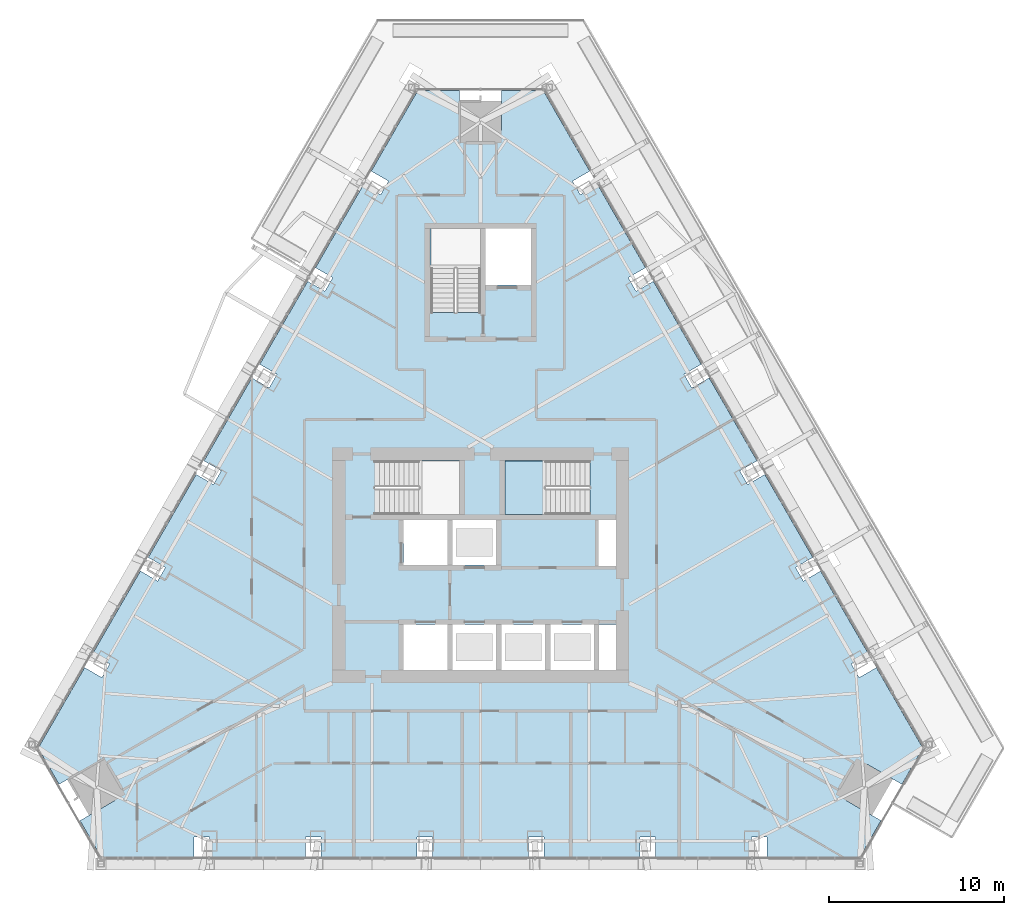
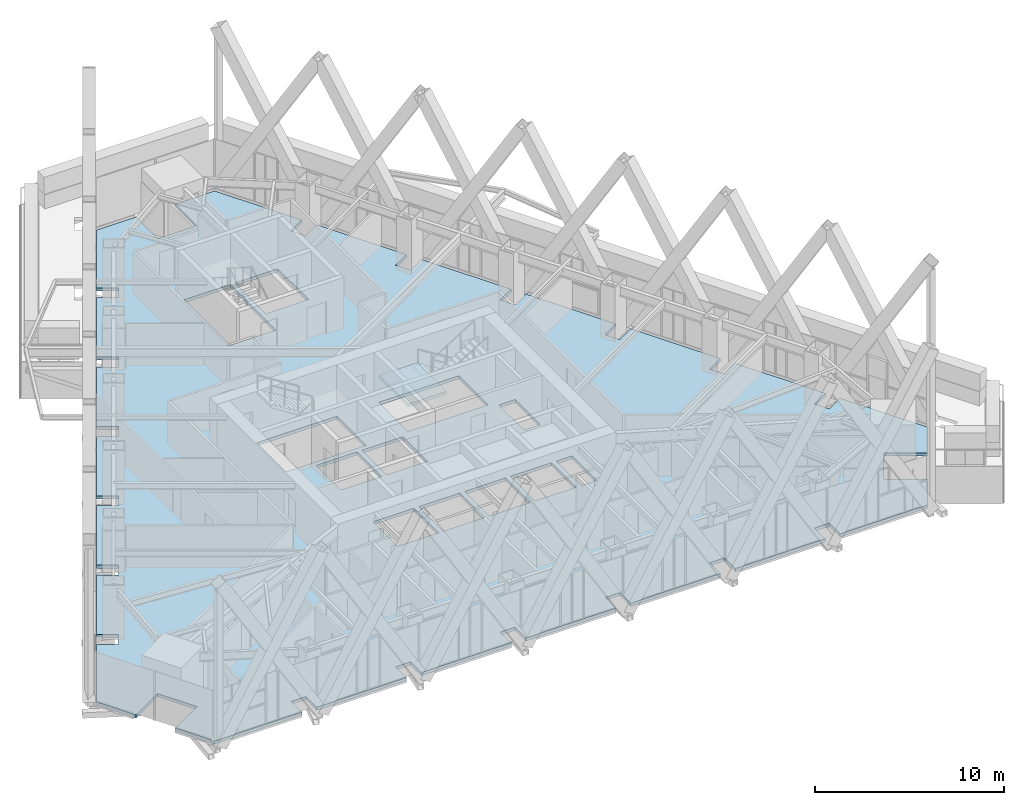
# One storey, part 11 of 23: 2 slabs, 1 element without a shape of its own.
"""IFC4 building model written with IfcOpenShell, lengths in metres."""

from ifc_helpers import new_model, si_unit, direction, frame, origin, place, context, subcontext, project, spatial, polyline, outline, extrude, material, layer, layer_set, type_object, element, aggregate, save


model = new_model("IFC4")

# Units and contexts
model_context = context("Model", 3, precision=1e-05, world=origin(), true_north=direction((0.0, 1.0)))
body_context = subcontext(model_context, "Body", "Model", "MODEL_VIEW")
ifc_project = project(units=[si_unit("LENGTHUNIT", "METRE"), si_unit("AREAUNIT", "SQUARE_METRE"), si_unit("VOLUMEUNIT", "CUBIC_METRE"), si_unit("PLANEANGLEUNIT", "RADIAN"), si_unit("MASSUNIT", "GRAM", prefix="KILO")], contexts=[model_context])

# Site, building, storey
site_placement = place(None, origin())
site = spatial("IfcSite", under=ifc_project, at=site_placement, CompositionType="ELEMENT")
building_placement = place(site_placement, origin())
building = spatial("IfcBuilding", under=site, at=building_placement, Name="Firuza Gate Tower and Library", CompositionType="ELEMENT")
storey_placement = place(building_placement, frame((0.0, 0.0, 291.60009765625)))
storey = spatial("IfcBuildingStorey", under=building, at=storey_placement, Name="L70", CompositionType="ELEMENT", Elevation=291.60009765625)

# Slab
ifc_material_1 = material(Name="Concrete C40/50", Category="concrete")
ifc_layer_1 = layer(ifc_material_1, 0.199951171875)
ifc_layer_set_1 = layer_set([ifc_layer_1], Name="Composite floor slab 200 C40/50")
slab_type_1 = type_object("IfcSlabType", Name="Composite floor slab 200 C40/50", PredefinedType="FLOOR", material=ifc_layer_set_1)
slab_1_placement = place(storey_placement, frame((0.0, 0.0, -0.2001953125)))
element("IfcSlab", 1, at=slab_1_placement, inside=storey, type_object=slab_type_1, Name="Floor slab L70", PredefinedType="FLOOR", context=body_context, shape_type="SweptSolid", body=[
    extrude(outline(polyline([(53.25341796875, 58.28759765625), (58.57666015625, 58.28759765625), (58.57666015625, 59.431884765625), (59.4765625, 59.431884765625), (59.4765625, 58.28759765625), (64.966064453125, 58.28759765625), (64.966064453125, 59.431884765625), (65.865966796875, 59.431884765625), (65.865966796875, 58.28759765625), (71.355224609375, 58.28759765625), (71.355224609375, 59.431884765625), (72.25537109375, 59.431884765625), (72.25537109375, 58.28759765625), (77.74462890625, 58.28759765625), (77.74462890625, 59.431884765625), (78.644775390625, 59.431884765625), (78.644775390625, 58.28759765625), (84.134033203125, 58.28759765625), (84.134033203125, 59.431884765625), (85.033935546875, 59.431884765625), (85.033935546875, 58.28759765625), (90.5234375, 58.28759765625), (90.5234375, 59.431884765625), (91.42333984375, 59.431884765625), (91.42333984375, 58.28759765625), (96.74658203125, 58.28759765625), (97.94677734375, 60.3662109375), (95.964599609375, 61.510498046875), (97.16455078125, 63.5888671875), (99.146728515625, 62.444580078125), (100.3466796875, 64.52294921875), (97.68505859375, 69.133056640625), (96.69384765625, 68.56103515625), (96.243896484375, 69.34033203125), (97.235107421875, 69.91259765625), (94.490234375, 74.66650390625), (93.499267578125, 74.09423828125), (93.04931640625, 74.873779296875), (94.040283203125, 75.44580078125), (91.295654296875, 80.19970703125), (90.3046875, 79.627685546875), (89.854736328125, 80.406982421875), (90.845703125, 80.979248046875), (88.10107421875, 85.733154296875), (87.10986328125, 85.160888671875), (86.659912109375, 85.9404296875), (87.65087890625, 86.512451171875), (84.90625, 91.266357421875), (83.915283203125, 90.6943359375), (83.46533203125, 91.4736328125), (84.456298828125, 92.0458984375), (81.711669921875, 96.7998046875), (80.720703125, 96.2275390625), (80.2705078125, 97.007080078125), (81.26171875, 97.5791015625), (78.60009765625, 102.189453125), (76.199951171875, 102.189453125), (76.199951171875, 99.900634765625), (73.800048828125, 99.900634765625), (73.800048828125, 102.189453125), (71.39990234375, 102.189453125), (68.73828125, 97.5791015625), (69.7294921875, 97.007080078125), (69.279296875, 96.2275390625), (68.288330078125, 96.7998046875), (65.543701171875, 92.0458984375), (66.53466796875, 91.4736328125), (66.084716796875, 90.6943359375), (65.09375, 91.266357421875), (62.34912109375, 86.512451171875), (63.340087890625, 85.9404296875), (62.89013671875, 85.160888671875), (61.89892578125, 85.733154296875), (59.154296875, 80.979248046875), (60.145263671875, 80.406982421875), (59.6953125, 79.627685546875), (58.704345703125, 80.19970703125), (55.959716796875, 75.44580078125), (56.95068359375, 74.873779296875), (56.500732421875, 74.09423828125), (55.509765625, 74.66650390625), (52.764892578125, 69.91259765625), (53.756103515625, 69.34033203125), (53.30615234375, 68.56103515625), (52.31494140625, 69.133056640625), (49.6533203125, 64.52294921875), (50.853271484375, 62.444580078125), (52.83544921875, 63.5888671875), (54.035400390625, 61.510498046875), (52.05322265625, 60.3662109375), (53.25341796875, 58.28759765625)]), holes=[polyline([(73.10009765625, 69.0), (70.60009765625, 69.0), (70.60009765625, 71.60009765625), (73.10009765625, 71.60009765625), (73.10009765625, 69.0)]), polyline([(75.89990234375, 69.0), (73.39990234375, 69.0), (73.39990234375, 71.60009765625), (75.89990234375, 71.60009765625), (75.89990234375, 69.0)]), polyline([(73.10009765625, 75.0), (70.60009765625, 75.0), (70.60009765625, 77.60009765625), (73.10009765625, 77.60009765625), (73.10009765625, 75.0)]), polyline([(75.89990234375, 75.0), (73.39990234375, 75.0), (73.39990234375, 77.60009765625), (75.89990234375, 77.60009765625), (75.89990234375, 75.0)]), polyline([(68.9404296875, 77.89990234375), (68.9404296875, 80.97998046875), (73.81005859375, 80.97998046875), (73.81005859375, 77.89990234375), (68.9404296875, 77.89990234375)]), polyline([(72.159912109375, 89.470458984375), (72.159912109375, 94.300048828125), (75.0, 94.300048828125), (75.0, 89.470458984375), (72.159912109375, 89.470458984375)]), polyline([(78.699951171875, 69.0), (76.199951171875, 69.0), (76.199951171875, 71.60009765625), (78.699951171875, 71.60009765625), (78.699951171875, 69.0)]), polyline([(81.5, 69.0), (79.0, 69.0), (79.0, 71.60009765625), (81.5, 71.60009765625), (81.5, 69.0)]), polyline([(82.75, 69.0), (81.800048828125, 69.0), (81.800048828125, 71.60009765625), (82.75, 71.60009765625), (82.75, 69.0)]), polyline([(82.75, 74.949951171875), (81.75, 74.949951171875), (81.75, 77.60009765625), (82.75, 77.60009765625), (82.75, 74.949951171875)]), polyline([(81.259521484375, 80.97998046875), (81.259521484375, 77.89990234375), (76.389892578125, 77.89990234375), (76.389892578125, 80.97998046875), (81.259521484375, 80.97998046875)]), polyline([(75.300048828125, 91.050048828125), (75.300048828125, 94.300048828125), (77.89990234375, 94.300048828125), (77.89990234375, 91.050048828125), (75.300048828125, 91.050048828125)])]), origin(), (0.0, 0.0, 1.0), 0.2001953125),
])

# Stair, slab
ifc_material_2 = material(Name="Concrete C35/45", Category="concrete")
stair_type = type_object("IfcStairType", Name="Exit stair ST8", PredefinedType="HALF_TURN_STAIR", material=ifc_material_2)
stair_placement = place(storey_placement, origin())
stair = element("IfcStair", 2, at=stair_placement, inside=storey, type_object=stair_type, Name="L70 Stair ST2", PredefinedType="HALF_TURN_STAIR")
ifc_material_3 = material(Name="Concrete C35/45", Category="concrete")
ifc_layer_2 = layer(ifc_material_3, 0.199951171875)
ifc_layer_set_2 = layer_set([ifc_layer_2], Name="Stair landing 200")
slab_type_2 = type_object("IfcSlabType", Name="Stair landing 200", PredefinedType="LANDING", material=ifc_layer_set_2)
slab_2_placement = place(storey_placement, frame((0.0, 0.0, 1.5498046875)))
slab_2 = element("IfcSlab", 3, at=slab_2_placement, type_object=slab_type_2, Name="ST2 landing 1", PredefinedType="LANDING", context=body_context, shape_type="SweptSolid", body=[
    extrude(outline(polyline([(78.739990234375, 80.97998046875), (76.389892578125, 80.97998046875), (76.389892578125, 77.89990234375), (78.739990234375, 77.89990234375), (78.739990234375, 80.97998046875)])), origin(), (0.0, 0.0, 1.0), 0.2001953125),
])
aggregate(stair, [slab_2])

save(model, "model.ifc")
